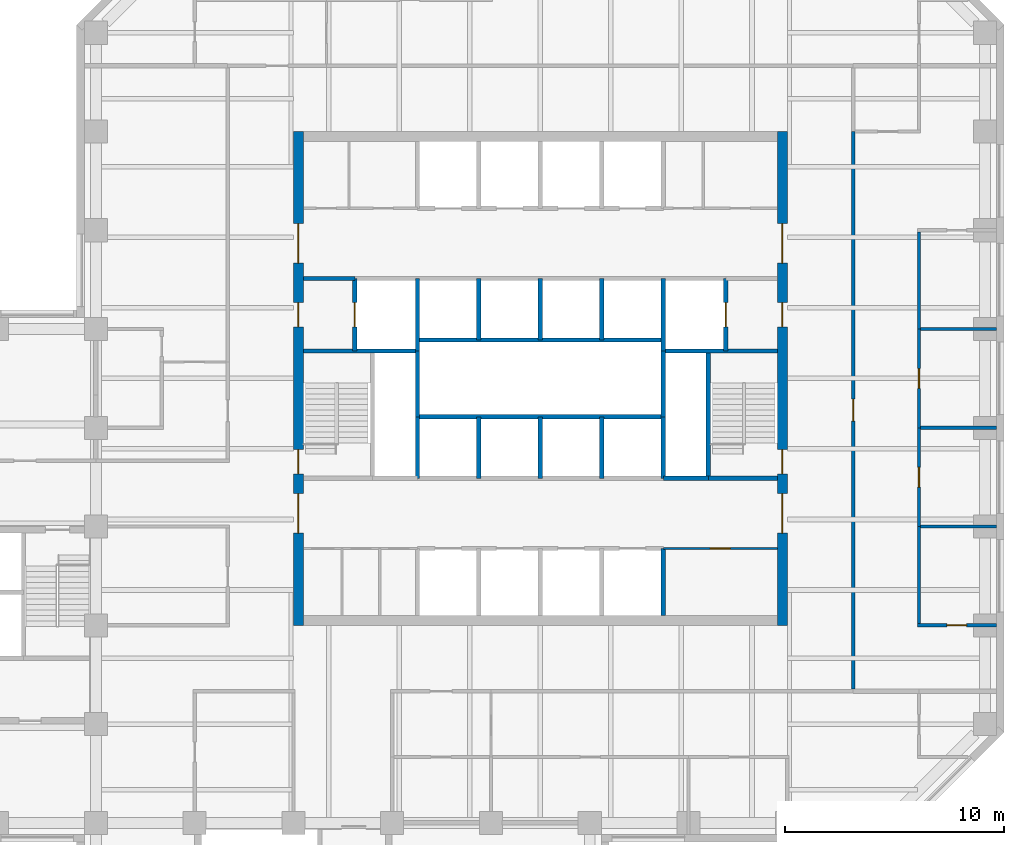
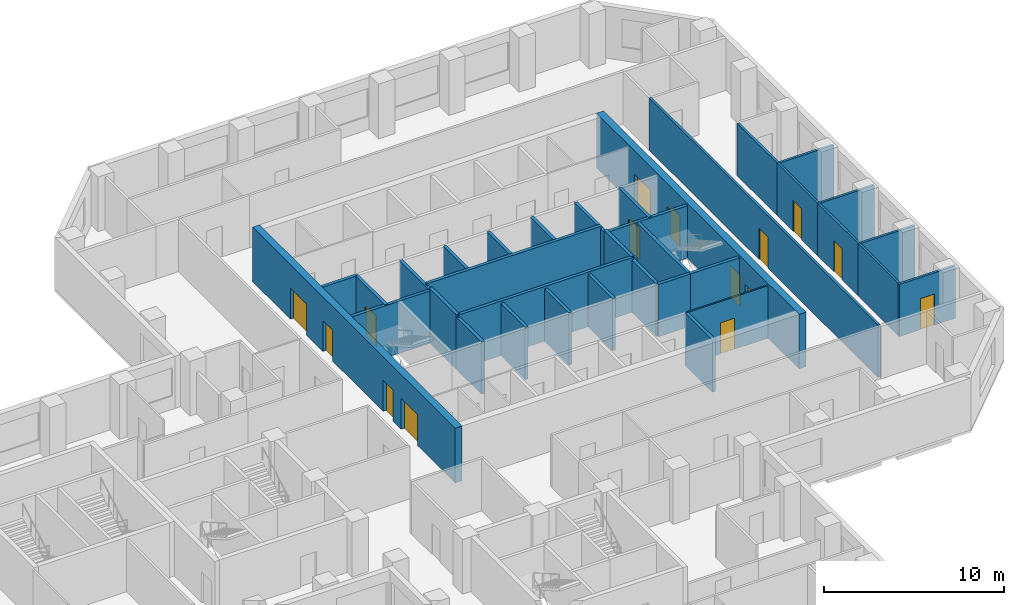
# One storey, part 7 of 11: 35 walls, 15 doors, 15 openings.
"""IFC4 building model written with IfcOpenShell, lengths in metres."""

from ifc_helpers import new_model, si_unit, direction, frame, frame_2d, origin, place, context, subcontext, project, spatial, rectangle, extrude, material, layer, layer_set, type_object, element, fill, save


model = new_model("IFC4")

# Units and contexts
model_context = context("Model", 3, precision=1e-05, world=origin(), true_north=direction((0.0, 1.0)))
body_context = subcontext(model_context, "Body", "Model", "MODEL_VIEW")
ifc_project = project(units=[si_unit("LENGTHUNIT", "METRE"), si_unit("AREAUNIT", "SQUARE_METRE"), si_unit("VOLUMEUNIT", "CUBIC_METRE"), si_unit("PLANEANGLEUNIT", "RADIAN"), si_unit("MASSUNIT", "GRAM", prefix="KILO")], contexts=[model_context])

# Site, building, storey
site_placement = place(None, origin())
site = spatial("IfcSite", under=ifc_project, at=site_placement, CompositionType="ELEMENT")
building_placement = place(site_placement, origin())
building = spatial("IfcBuilding", under=site, at=building_placement, Name="Quoin Convention Tower", CompositionType="ELEMENT")
storey_placement = place(building_placement, frame((0.0, 0.0, 104.800048828125)))
storey = spatial("IfcBuildingStorey", under=building, at=storey_placement, Name="L27", CompositionType="ELEMENT", Elevation=104.800048828125)

# Wall, opening, door
ifc_material_1 = material(Name="Plasterboard")
ifc_layer_1 = layer(ifc_material_1, 0.012451171875, Name="Finish")
ifc_material_2 = material(Name="Steel stud framing", Category="steel")
ifc_layer_2 = layer(ifc_material_2, 0.125, Name="Structure")
ifc_layer_3 = layer(ifc_material_1, 0.012451171875, Name="Finish")
ifc_layer_set_1 = layer_set([ifc_layer_1, ifc_layer_2, ifc_layer_3], Name="Steel stud framing")
wall_type_1 = type_object("IfcWallType", Name="Acoustic partition 150", PredefinedType="PARTITIONING", material=ifc_layer_set_1)
wall_1_placement = place(storey_placement, frame((73.425048828125, 49.5, 0.0), z_axis=(0.0, 0.0, 1.0), x_axis=(1.0, 0.0, 0.0)))
wall_1 = element("IfcWall", 1, at=wall_1_placement, inside=storey, type_object=wall_type_1, Name="pw-L27-025", PredefinedType="PARTITIONING", context=body_context, shape_type="SweptSolid", body=[
    extrude(rectangle(XDim=3.599853515625, YDim=0.14990234375, at=frame_2d((1.7998046875, 0.0))), origin(), (0.0, 0.0, 1.0), 3.550048828125),
])
opening_1_placement = place(wall_1_placement, frame((1.35009765625, 0.0, 0.0)))
opening_1 = element("IfcOpeningElement", 2, at=opening_1_placement, cuts=wall_1, Name="Opening DOL4-10", PredefinedType="OPENING", context=body_context, shape_type="SweptSolid", body=[
    extrude(rectangle(XDim=0.89990234375, YDim=2.10009765625, at=frame_2d((0.449951171875, 1.050048828125))), frame((0.0, 0.0849609375, 0.0), z_axis=(0.0, -1.0, 0.0), x_axis=(1.0, 0.0, 0.0)), (0.0, 0.0, 1.0), 0.169921875),
])
ifc_material_3 = material(Name="Steel door leaf", Category="steel")
door_type_1 = type_object("IfcDoorType", Name="Office door 900 x 2100", OperationType="SINGLE_SWING_RIGHT", PredefinedType="DOOR", material=ifc_material_3)
door_1_placement = place(opening_1_placement, frame((0.89990234375, 0.0, 0.0), z_axis=(0.0, 0.0, 1.0), x_axis=(-1.0, 0.0, 0.0)))
door_1 = element("IfcDoor", 3, at=door_1_placement, inside=storey, type_object=door_type_1, Name="dr-L27-25", OperationType="SINGLE_SWING_LEFT", OverallHeight=2.10009765625, OverallWidth=0.89990234375, PredefinedType="DOOR", context=body_context, shape_type="SweptSolid", body=[
    extrude(rectangle(XDim=0.89990234375, YDim=2.10009765625, at=frame_2d((0.449951171875, 1.050048828125))), frame((0.0, 0.02490234375, 0.0), z_axis=(0.0, -1.0, 0.0), x_axis=(1.0, 0.0, 0.0)), (0.0, 0.0, 1.0), 0.050048828125),
])
fill(opening_1, door_1)

# Walls
for number, where, z_axis, x_axis, name in (
    (4, (73.574951171875, 54.0, 0.0), (0.0, 0.0, 1.0), (1.0, 0.0, 0.0), "pw-L27-028"),
    (5, (73.574951171875, 58.5, 0.0), (0.0, 0.0, 1.0), (1.0, 0.0, 0.0), "pw-L27-032"),
    (6, (73.574951171875, 63.0, 0.0), (0.0, 0.0, 1.0), (1.0, 0.0, 0.0), "pw-L27-038"),
):
    element("IfcWall", number, at=place(storey_placement, frame(where, z_axis=z_axis, x_axis=x_axis)), inside=storey, type_object=wall_type_1, Name=name, PredefinedType="PARTITIONING", context=body_context, shape_type="SweptSolid", body=[
        extrude(rectangle(XDim=3.449951171875, YDim=0.14990234375, at=frame_2d((1.72509765625, 0.0))), origin(), (0.0, 0.0, 1.0), 3.550048828125),
    ])
wall_2_placement = place(storey_placement, frame((73.5, 49.574951171875, 0.0), z_axis=(0.0, 0.0, 1.0), x_axis=(0.0, 1.0, 0.0)))
element("IfcWall", 7, at=wall_2_placement, inside=storey, type_object=wall_type_1, Name="pw-L27-071", PredefinedType="PARTITIONING", context=body_context, shape_type="SweptSolid", body=[
    extrude(rectangle(XDim=4.425048828125, YDim=0.14990234375, at=frame_2d((2.21240234375, 0.0))), origin(), (0.0, 0.0, 1.0), 3.550048828125),
])

# Wall, opening, door
wall_3_placement = place(storey_placement, frame((73.5, 54.0, 0.0), z_axis=(0.0, 0.0, 1.0), x_axis=(0.0, 1.0, 0.0)))
wall_3 = element("IfcWall", 8, at=wall_3_placement, inside=storey, type_object=wall_type_1, Name="pw-L27-072", PredefinedType="PARTITIONING", context=body_context, shape_type="SweptSolid", body=[
    extrude(rectangle(XDim=4.5, YDim=0.14990234375, at=frame_2d((2.25, 0.0))), origin(), (0.0, 0.0, 1.0), 3.550048828125),
])
opening_2_placement = place(wall_3_placement, frame((1.800048828125, 0.0, 0.0)))
opening_2 = element("IfcOpeningElement", 9, at=opening_2_placement, cuts=wall_3, Name="Opening DOL4-24", PredefinedType="OPENING", context=body_context, shape_type="SweptSolid", body=[
    extrude(rectangle(XDim=0.89990234375, YDim=2.10009765625, at=frame_2d((0.449951171875, 1.050048828125))), frame((0.0, 0.0849609375, 0.0), z_axis=(0.0, -1.0, 0.0), x_axis=(1.0, 0.0, 0.0)), (0.0, 0.0, 1.0), 0.169921875),
])
door_2_placement = place(opening_2_placement, origin())
door_2 = element("IfcDoor", 10, at=door_2_placement, inside=storey, type_object=door_type_1, Name="dr-L27-26", OperationType="SINGLE_SWING_RIGHT", OverallHeight=2.10009765625, OverallWidth=0.89990234375, PredefinedType="DOOR", context=body_context, shape_type="SweptSolid", body=[
    extrude(rectangle(XDim=0.89990234375, YDim=2.10009765625, at=frame_2d((0.449951171875, 1.050048828125))), frame((0.0, 0.02490234375, 0.0), z_axis=(0.0, -1.0, 0.0), x_axis=(1.0, 0.0, 0.0)), (0.0, 0.0, 1.0), 0.050048828125),
])
fill(opening_2, door_2)

wall_4_placement = place(storey_placement, frame((73.5, 58.5, 0.0), z_axis=(0.0, 0.0, 1.0), x_axis=(0.0, 1.0, 0.0)))
wall_4 = element("IfcWall", 11, at=wall_4_placement, inside=storey, type_object=wall_type_1, Name="pw-L27-076", PredefinedType="PARTITIONING", context=body_context, shape_type="SweptSolid", body=[
    extrude(rectangle(XDim=4.5, YDim=0.14990234375, at=frame_2d((2.25, 0.0))), origin(), (0.0, 0.0, 1.0), 3.550048828125),
])
opening_3_placement = place(wall_4_placement, frame((1.800048828125, 0.0, 0.0)))
opening_3 = element("IfcOpeningElement", 12, at=opening_3_placement, cuts=wall_4, Name="Opening DOL4-26", PredefinedType="OPENING", context=body_context, shape_type="SweptSolid", body=[
    extrude(rectangle(XDim=0.89990234375, YDim=2.10009765625, at=frame_2d((0.449951171875, 1.050048828125))), frame((0.0, 0.0849609375, 0.0), z_axis=(0.0, -1.0, 0.0), x_axis=(1.0, 0.0, 0.0)), (0.0, 0.0, 1.0), 0.169921875),
])
door_3_placement = place(opening_3_placement, origin())
door_3 = element("IfcDoor", 13, at=door_3_placement, inside=storey, type_object=door_type_1, Name="dr-L27-27", OperationType="SINGLE_SWING_RIGHT", OverallHeight=2.10009765625, OverallWidth=0.89990234375, PredefinedType="DOOR", context=body_context, shape_type="SweptSolid", body=[
    extrude(rectangle(XDim=0.89990234375, YDim=2.10009765625, at=frame_2d((0.449951171875, 1.050048828125))), frame((0.0, 0.02490234375, 0.0), z_axis=(0.0, -1.0, 0.0), x_axis=(1.0, 0.0, 0.0)), (0.0, 0.0, 1.0), 0.050048828125),
])
fill(opening_3, door_3)

# Wall
wall_5_placement = place(storey_placement, frame((73.5, 63.0, 0.0), z_axis=(0.0, 0.0, 1.0), x_axis=(0.0, 1.0, 0.0)))
element("IfcWall", 14, at=wall_5_placement, inside=storey, type_object=wall_type_1, Name="pw-L27-086", PredefinedType="PARTITIONING", context=body_context, shape_type="SweptSolid", body=[
    extrude(rectangle(XDim=4.425048828125, YDim=0.14990234375, at=frame_2d((2.21240234375, 0.0))), origin(), (0.0, 0.0, 1.0), 3.550048828125),
])

# Wall, opening, door
ifc_layer_4 = layer(ifc_material_1, 0.012451171875, Name="Finish")
ifc_layer_5 = layer(ifc_material_2, 0.074951171875, Name="Structure")
ifc_layer_6 = layer(ifc_material_1, 0.012451171875, Name="Finish")
ifc_layer_set_2 = layer_set([ifc_layer_4, ifc_layer_5, ifc_layer_6], Name="Steel stud framing")
wall_type_2 = type_object("IfcWallType", Name="Core partition wall", PredefinedType="PARTITIONING", material=ifc_layer_set_2)
wall_6_placement = place(storey_placement, frame((61.85009765625, 53.0, 0.0), z_axis=(0.0, 0.0, 1.0), x_axis=(1.0, 0.0, 0.0)))
wall_6 = element("IfcWall", 15, at=wall_6_placement, inside=storey, type_object=wall_type_2, Name="cr-C1-L27-h3500_16850", PredefinedType="PARTITIONING", context=body_context, shape_type="SweptSolid", body=[
    extrude(rectangle(XDim=5.199951171875, YDim=0.10009765625, at=frame_2d((2.60009765625, 0.0))), origin(), (0.0, 0.0, 1.0), 3.550048828125),
])
opening_4_placement = place(wall_6_placement, frame((2.14990234375, 0.0, 0.0)))
opening_4 = element("IfcOpeningElement", 16, at=opening_4_placement, cuts=wall_6, Name="Opening DCV3-20", PredefinedType="OPENING", context=body_context, shape_type="SweptSolid", body=[
    extrude(rectangle(XDim=0.89990234375, YDim=2.10009765625, at=frame_2d((0.449951171875, 1.050048828125))), frame((0.0, 0.06005859375, 0.0), z_axis=(0.0, -1.0, 0.0), x_axis=(1.0, 0.0, 0.0)), (0.0, 0.0, 1.0), 0.1201171875),
])
door_type_2 = type_object("IfcDoorType", Name="Core room door 900 x 2100", OperationType="SINGLE_SWING_LEFT", PredefinedType="DOOR", material=ifc_material_3)
door_4_placement = place(opening_4_placement, frame((0.89990234375, 0.0, 0.0), z_axis=(0.0, 0.0, 1.0), x_axis=(-1.0, 0.0, 0.0)))
door_4 = element("IfcDoor", 17, at=door_4_placement, inside=storey, type_object=door_type_2, Name="cd-C1-L27-CSE0-lobA-CD2711", OperationType="SINGLE_SWING_RIGHT", OverallHeight=2.10009765625, OverallWidth=0.89990234375, PredefinedType="DOOR", context=body_context, shape_type="SweptSolid", body=[
    extrude(rectangle(XDim=0.89990234375, YDim=2.10009765625, at=frame_2d((0.449951171875, 1.050048828125))), frame((0.0, 0.02490234375, 0.0), z_axis=(0.0, -1.0, 0.0), x_axis=(1.0, 0.0, 0.0)), (0.0, 0.0, 1.0), 0.050048828125),
])
fill(opening_4, door_4)

# Walls
ifc_material_4 = material(Name="Concrete C50", Category="concrete")
ifc_layer_7 = layer(ifc_material_4, 0.199951171875)
ifc_layer_set_3 = layer_set([ifc_layer_7], Name="Concrete C50")
wall_type_3 = type_object("IfcWallType", Name="Core shaft wall", PredefinedType="SOLIDWALL", material=ifc_layer_set_3)
wall_7_placement = place(storey_placement, frame((61.85009765625, 56.199951171875, 0.0), z_axis=(0.0, 0.0, 1.0), x_axis=(1.0, 0.0, 0.0)))
element("IfcWall", 18, at=wall_7_placement, inside=storey, type_object=wall_type_3, Name="cr-C1-L27-h6700_16850", PredefinedType="SOLIDWALL", context=body_context, shape_type="SweptSolid", body=[
    extrude(rectangle(XDim=2.0498046875, YDim=0.199951171875, at=frame_2d((1.02490234375, 0.0))), origin(), (0.0, 0.0, 1.0), 3.550048828125),
])
wall_8_placement = place(storey_placement, frame((63.89990234375, 56.199951171875, 0.0), z_axis=(0.0, 0.0, 1.0), x_axis=(1.0, 0.0, 0.0)))
element("IfcWall", 19, at=wall_8_placement, inside=storey, type_object=wall_type_3, Name="cr-C1-L27-h6700_18900", PredefinedType="SOLIDWALL", context=body_context, shape_type="SweptSolid", body=[
    extrude(rectangle(XDim=3.150146484375, YDim=0.199951171875, at=frame_2d((1.5751953125, 0.0))), origin(), (0.0, 0.0, 1.0), 3.550048828125),
])
for number, where, z_axis, x_axis, name in (
    (20, (45.449951171875, 62.0, 0.0), (0.0, 0.0, 1.0), (1.0, 0.0, 0.0), "cr-C1-L27-h12500_450"),
    (21, (61.85009765625, 62.0, 0.0), (0.0, 0.0, 1.0), (1.0, 0.0, 0.0), "cr-C1-L27-h12500_16850"),
):
    element("IfcWall", number, at=place(storey_placement, frame(where, z_axis=z_axis, x_axis=x_axis)), inside=storey, type_object=wall_type_3, Name=name, PredefinedType="SOLIDWALL", context=body_context, shape_type="SweptSolid", body=[
        extrude(rectangle(XDim=5.199951171875, YDim=0.199951171875, at=frame_2d((2.60009765625, 0.0))), origin(), (0.0, 0.0, 1.0), 3.550048828125),
    ])
wall_9_placement = place(storey_placement, frame((45.449951171875, 65.300048828125, 0.0), z_axis=(0.0, 0.0, 1.0), x_axis=(1.0, 0.0, 0.0)))
element("IfcWall", 22, at=wall_9_placement, inside=storey, type_object=wall_type_3, Name="cr-C1-L27-h15800_450", PredefinedType="SOLIDWALL", context=body_context, shape_type="SweptSolid", body=[
    extrude(rectangle(XDim=2.35009765625, YDim=0.199951171875, at=frame_2d((1.175048828125, 0.0))), origin(), (0.0, 0.0, 1.0), 3.550048828125),
])

# Wall, opening, door
wall_10_placement = place(storey_placement, frame((47.800048828125, 62.0, 0.0), z_axis=(0.0, 0.0, 1.0), x_axis=(0.0, 1.0, 0.0)))
wall_10 = element("IfcWall", 23, at=wall_10_placement, inside=storey, type_object=wall_type_3, Name="cr-C1-L27-v2800_12500", PredefinedType="SOLIDWALL", context=body_context, shape_type="SweptSolid", body=[
    extrude(rectangle(XDim=3.300048828125, YDim=0.199951171875, at=frame_2d((1.64990234375, 0.0))), origin(), (0.0, 0.0, 1.0), 3.550048828125),
])
opening_5_placement = place(wall_10_placement, frame((1.10009765625, 0.0, 0.0)))
opening_5 = element("IfcOpeningElement", 24, at=opening_5_placement, cuts=wall_10, Name="Opening LDFL1", PredefinedType="OPENING", context=body_context, shape_type="SweptSolid", body=[
    extrude(rectangle(XDim=1.10009765625, YDim=2.10009765625, at=frame_2d((0.550048828125, 1.050048828125))), frame((0.0, 0.10986328125, 0.0), z_axis=(0.0, -1.0, 0.0), x_axis=(1.0, 0.0, 0.0)), (0.0, 0.0, 1.0), 0.219970703125),
])
door_type_3 = type_object("IfcDoorType", Name="Lift landing door 1100 x 2100", OperationType="DOUBLE_DOOR_SLIDING", PredefinedType="DOOR", material=ifc_material_3)
door_5_placement = place(opening_5_placement, origin())
door_5 = element("IfcDoor", 25, at=door_5_placement, inside=storey, type_object=door_type_3, Name="cd-C1-L27-FLW-FFW-LDFL1", OperationType="DOUBLE_DOOR_SLIDING", OverallHeight=2.10009765625, OverallWidth=1.10009765625, PredefinedType="DOOR", context=body_context, shape_type="SweptSolid", body=[
    extrude(rectangle(XDim=1.10009765625, YDim=2.10009765625, at=frame_2d((0.550048828125, 1.050048828125))), frame((0.0, 0.02490234375, 0.0), z_axis=(0.0, -1.0, 0.0), x_axis=(1.0, 0.0, 0.0)), (0.0, 0.0, 1.0), 0.050048828125),
])
fill(opening_5, door_5)

# Walls
wall_11_placement = place(storey_placement, frame((50.64990234375, 56.199951171875, 0.0), z_axis=(0.0, 0.0, 1.0), x_axis=(0.0, 1.0, 0.0)))
element("IfcWall", 26, at=wall_11_placement, inside=storey, type_object=wall_type_3, Name="cr-C1-L27-v5650_6700", PredefinedType="SOLIDWALL", context=body_context, shape_type="SweptSolid", body=[
    extrude(rectangle(XDim=2.800048828125, YDim=0.199951171875, at=frame_2d((1.39990234375, 0.0))), origin(), (0.0, 0.0, 1.0), 3.550048828125),
])
wall_12_placement = place(storey_placement, frame((50.64990234375, 62.0, 0.0), z_axis=(0.0, 0.0, 1.0), x_axis=(0.0, 1.0, 0.0)))
element("IfcWall", 27, at=wall_12_placement, inside=storey, type_object=wall_type_3, Name="cr-C1-L27-v5650_12500", PredefinedType="SOLIDWALL", context=body_context, shape_type="SweptSolid", body=[
    extrude(rectangle(XDim=3.300048828125, YDim=0.199951171875, at=frame_2d((1.64990234375, 0.0))), origin(), (0.0, 0.0, 1.0), 3.550048828125),
])
for number, where, z_axis, x_axis, name in (
    (28, (53.449951171875, 56.199951171875, 0.0), (0.0, 0.0, 1.0), (0.0, 1.0, 0.0), "cr-C1-L27-v8450_6700"),
    (29, (53.449951171875, 62.5, 0.0), (0.0, 0.0, 1.0), (0.0, 1.0, 0.0), "cr-C1-L27-v8450_13000"),
    (30, (56.25, 56.199951171875, 0.0), (0.0, 0.0, 1.0), (0.0, 1.0, 0.0), "cr-C1-L27-v11250_6700"),
    (31, (56.25, 62.5, 0.0), (0.0, 0.0, 1.0), (0.0, 1.0, 0.0), "cr-C1-L27-v11250_13000"),
    (32, (59.050048828125, 56.199951171875, 0.0), (0.0, 0.0, 1.0), (0.0, 1.0, 0.0), "cr-C1-L27-v14050_6700"),
    (33, (59.050048828125, 62.5, 0.0), (0.0, 0.0, 1.0), (0.0, 1.0, 0.0), "cr-C1-L27-v14050_13000"),
):
    element("IfcWall", number, at=place(storey_placement, frame(where, z_axis=z_axis, x_axis=x_axis)), inside=storey, type_object=wall_type_3, Name=name, PredefinedType="SOLIDWALL", context=body_context, shape_type="SweptSolid", body=[
        extrude(rectangle(XDim=2.800048828125, YDim=0.199951171875, at=frame_2d((1.39990234375, 0.0))), origin(), (0.0, 0.0, 1.0), 3.550048828125),
    ])
wall_13_placement = place(storey_placement, frame((61.85009765625, 49.949951171875, 0.0), z_axis=(0.0, 0.0, 1.0), x_axis=(0.0, 1.0, 0.0)))
element("IfcWall", 34, at=wall_13_placement, inside=storey, type_object=wall_type_3, Name="cr-C1-L27-v16850_450", PredefinedType="SOLIDWALL", context=body_context, shape_type="SweptSolid", body=[
    extrude(rectangle(XDim=3.050048828125, YDim=0.199951171875, at=frame_2d((1.52490234375, 0.0))), origin(), (0.0, 0.0, 1.0), 3.550048828125),
])
wall_14_placement = place(storey_placement, frame((61.85009765625, 56.199951171875, 0.0), z_axis=(0.0, 0.0, 1.0), x_axis=(0.0, 1.0, 0.0)))
element("IfcWall", 35, at=wall_14_placement, inside=storey, type_object=wall_type_3, Name="cr-C1-L27-v16850_6700", PredefinedType="SOLIDWALL", context=body_context, shape_type="SweptSolid", body=[
    extrude(rectangle(XDim=2.800048828125, YDim=0.199951171875, at=frame_2d((1.39990234375, 0.0))), origin(), (0.0, 0.0, 1.0), 3.550048828125),
])
wall_15_placement = place(storey_placement, frame((61.85009765625, 62.0, 0.0), z_axis=(0.0, 0.0, 1.0), x_axis=(0.0, 1.0, 0.0)))
element("IfcWall", 36, at=wall_15_placement, inside=storey, type_object=wall_type_3, Name="cr-C1-L27-v16850_12500", PredefinedType="SOLIDWALL", context=body_context, shape_type="SweptSolid", body=[
    extrude(rectangle(XDim=3.300048828125, YDim=0.199951171875, at=frame_2d((1.64990234375, 0.0))), origin(), (0.0, 0.0, 1.0), 3.550048828125),
])
wall_16_placement = place(storey_placement, frame((63.89990234375, 56.199951171875, 0.0), z_axis=(0.0, 0.0, 1.0), x_axis=(0.0, 1.0, 0.0)))
element("IfcWall", 37, at=wall_16_placement, inside=storey, type_object=wall_type_3, Name="cr-C1-L27-v18900_6700", PredefinedType="SOLIDWALL", context=body_context, shape_type="SweptSolid", body=[
    extrude(rectangle(XDim=5.800048828125, YDim=0.199951171875, at=frame_2d((2.89990234375, 0.0))), origin(), (0.0, 0.0, 1.0), 3.550048828125),
])

# Wall, opening, door
wall_17_placement = place(storey_placement, frame((64.699951171875, 62.0, 0.0), z_axis=(0.0, 0.0, 1.0), x_axis=(0.0, 1.0, 0.0)))
wall_17 = element("IfcWall", 38, at=wall_17_placement, inside=storey, type_object=wall_type_3, Name="cr-C1-L27-v19700_12500", PredefinedType="SOLIDWALL", context=body_context, shape_type="SweptSolid", body=[
    extrude(rectangle(XDim=3.300048828125, YDim=0.199951171875, at=frame_2d((1.64990234375, 0.0))), origin(), (0.0, 0.0, 1.0), 3.550048828125),
])
opening_6_placement = place(wall_17_placement, frame((1.10009765625, 0.0, 0.0)))
opening_6 = element("IfcOpeningElement", 39, at=opening_6_placement, cuts=wall_17, Name="Opening LDFL2", PredefinedType="OPENING", context=body_context, shape_type="SweptSolid", body=[
    extrude(rectangle(XDim=1.10009765625, YDim=2.10009765625, at=frame_2d((0.550048828125, 1.050048828125))), frame((0.0, 0.10986328125, 0.0), z_axis=(0.0, -1.0, 0.0), x_axis=(1.0, 0.0, 0.0)), (0.0, 0.0, 1.0), 0.219970703125),
])
door_6_placement = place(opening_6_placement, origin())
door_6 = element("IfcDoor", 40, at=door_6_placement, inside=storey, type_object=door_type_3, Name="cd-C1-L27-FLE-FFE-LDFL2", OperationType="DOUBLE_DOOR_SLIDING", OverallHeight=2.10009765625, OverallWidth=1.10009765625, PredefinedType="DOOR", context=body_context, shape_type="SweptSolid", body=[
    extrude(rectangle(XDim=1.10009765625, YDim=2.10009765625, at=frame_2d((0.550048828125, 1.050048828125))), frame((0.0, 0.02490234375, 0.0), z_axis=(0.0, -1.0, 0.0), x_axis=(1.0, 0.0, 0.0)), (0.0, 0.0, 1.0), 0.050048828125),
])
fill(opening_6, door_6)

# Walls
ifc_layer_8 = layer(ifc_material_4, 0.199951171875)
ifc_layer_set_4 = layer_set([ifc_layer_8], Name="Concrete C50")
wall_type_4 = type_object("IfcWallType", Name="Core shaft wall to the floor level over", PredefinedType="SOLIDWALL", material=ifc_layer_set_4)
for number, where, z_axis, x_axis, name in (
    (41, (50.64990234375, 59.0, 0.0), (0.0, 0.0, 1.0), (1.0, 0.0, 0.0), "cr-C1-L27-h9500_5650"),
    (42, (50.64990234375, 62.5, 0.0), (0.0, 0.0, 1.0), (1.0, 0.0, 0.0), "cr-C1-L27-h13000_5650"),
):
    element("IfcWall", number, at=place(storey_placement, frame(where, z_axis=z_axis, x_axis=x_axis)), inside=storey, type_object=wall_type_4, Name=name, PredefinedType="SOLIDWALL", context=body_context, shape_type="SweptSolid", body=[
        extrude(rectangle(XDim=11.2001953125, YDim=0.199951171875, at=frame_2d((5.60009765625, 0.0))), origin(), (0.0, 0.0, 1.0), 3.699951171875),
    ])
for number, where, z_axis, x_axis, name in (
    (43, (50.64990234375, 59.0, 0.0), (0.0, 0.0, 1.0), (0.0, 1.0, 0.0), "cr-C1-L27-v5650_9500"),
    (44, (61.85009765625, 59.0, 0.0), (0.0, 0.0, 1.0), (0.0, 1.0, 0.0), "cr-C1-L27-v16850_9500"),
):
    element("IfcWall", number, at=place(storey_placement, frame(where, z_axis=z_axis, x_axis=x_axis)), inside=storey, type_object=wall_type_4, Name=name, PredefinedType="SOLIDWALL", context=body_context, shape_type="SweptSolid", body=[
        extrude(rectangle(XDim=3.0, YDim=0.199951171875, at=frame_2d((1.5, 0.0))), origin(), (0.0, 0.0, 1.0), 3.699951171875),
    ])

# Wall, opening, door
ifc_layer_9 = layer(ifc_material_1, 0.012451171875, Name="Finish")
ifc_layer_10 = layer(ifc_material_2, 0.125, Name="Structure")
ifc_layer_11 = layer(ifc_material_1, 0.012451171875, Name="Finish")
ifc_layer_set_5 = layer_set([ifc_layer_9, ifc_layer_10, ifc_layer_11], Name="Steel stud framing")
wall_type_5 = type_object("IfcWallType", Name="Corridor wall 150", PredefinedType="PARTITIONING", material=ifc_layer_set_5)
wall_18_placement = place(storey_placement, frame((70.5, 46.60009765625, 0.0), z_axis=(0.0, 0.0, 1.0), x_axis=(0.0, 1.0, 0.0)))
wall_18 = element("IfcWall", 45, at=wall_18_placement, inside=storey, type_object=wall_type_5, Name="pw-L27-067", PredefinedType="PARTITIONING", context=body_context, shape_type="SweptSolid", body=[
    extrude(rectangle(XDim=25.39990234375, YDim=0.14990234375, at=frame_2d((12.699951171875, 0.0))), origin(), (0.0, 0.0, 1.0), 3.550048828125),
])
opening_7_placement = place(wall_18_placement, frame((12.199951171875, 0.0, 0.0)))
opening_7 = element("IfcOpeningElement", 46, at=opening_7_placement, cuts=wall_18, Name="Opening DOL4-22", PredefinedType="OPENING", context=body_context, shape_type="SweptSolid", body=[
    extrude(rectangle(XDim=1.0, YDim=2.10009765625, at=frame_2d((0.5, 1.050048828125))), frame((0.0, 0.0849609375, 0.0), z_axis=(0.0, -1.0, 0.0), x_axis=(1.0, 0.0, 0.0)), (0.0, 0.0, 1.0), 0.169921875),
])
door_type_4 = type_object("IfcDoorType", Name="Tenancy entrance door 1000 x 2100", OperationType="DOUBLE_DOOR_SINGLE_SWING", PredefinedType="DOOR", material=ifc_material_3)
door_7_placement = place(opening_7_placement, origin())
door_7 = element("IfcDoor", 47, at=door_7_placement, inside=storey, type_object=door_type_4, Name="dr-L27-23", OperationType="DOUBLE_DOOR_SINGLE_SWING", OverallHeight=2.10009765625, OverallWidth=1.0, PredefinedType="DOOR", context=body_context, shape_type="SweptSolid", body=[
    extrude(rectangle(XDim=1.0, YDim=2.10009765625, at=frame_2d((0.5, 1.050048828125))), frame((0.0, 0.02490234375, 0.0), z_axis=(0.0, -1.0, 0.0), x_axis=(1.0, 0.0, 0.0)), (0.0, 0.0, 1.0), 0.050048828125),
])
fill(opening_7, door_7)

# Wall, openings, doors
ifc_material_5 = material(Name="Concrete C65", Category="concrete")
ifc_layer_12 = layer(ifc_material_5, 0.449951171875)
ifc_layer_set_6 = layer_set([ifc_layer_12], Name="Concrete C65")
wall_type_6 = type_object("IfcWallType", Name="RC CORE WALL 450 C65", PredefinedType="SHEAR", material=ifc_layer_set_6)
wall_19_placement = place(storey_placement, frame((45.22509765625, 49.5, 0.0), z_axis=(0.0, 0.0, 1.0), x_axis=(0.0, 1.0, 0.0)))
wall_19 = element("IfcWall", 48, at=wall_19_placement, inside=storey, type_object=wall_type_6, Name="cwl-C1-L27-W", PredefinedType="SHEAR", context=body_context, shape_type="SweptSolid", body=[
    extrude(rectangle(XDim=22.5, YDim=0.449951171875, at=frame_2d((11.25, 0.0))), origin(), (0.0, 0.0, 1.0), 3.699951171875),
])
opening_8_placement = place(wall_19_placement, frame((4.199951171875, 0.0, 0.0)))
opening_8 = element("IfcOpeningElement", 49, at=opening_8_placement, cuts=wall_19, Name="Opening DCV3-40", PredefinedType="OPENING", context=body_context, shape_type="SweptSolid", body=[
    extrude(rectangle(XDim=1.800048828125, YDim=2.10009765625, at=frame_2d((0.89990234375, 1.050048828125))), frame((0.0, 0.23486328125, 0.0), z_axis=(0.0, -1.0, 0.0), x_axis=(1.0, 0.0, 0.0)), (0.0, 0.0, 1.0), 0.469970703125),
])
opening_9_placement = place(wall_19_placement, frame((6.89990234375, 0.0, 0.0)))
opening_9 = element("IfcOpeningElement", 50, at=opening_9_placement, cuts=wall_19, Name="Opening SD1", PredefinedType="OPENING", context=body_context, shape_type="SweptSolid", body=[
    extrude(rectangle(XDim=1.10009765625, YDim=2.10009765625, at=frame_2d((0.550048828125, 1.050048828125))), frame((0.0, 0.23486328125, 0.0), z_axis=(0.0, -1.0, 0.0), x_axis=(1.0, 0.0, 0.0)), (0.0, 0.0, 1.0), 0.469970703125),
])
opening_10_placement = place(wall_19_placement, frame((13.60009765625, 0.0, 0.0)))
opening_10 = element("IfcOpeningElement", 51, at=opening_10_placement, cuts=wall_19, Name="Opening DCV3-39", PredefinedType="OPENING", context=body_context, shape_type="SweptSolid", body=[
    extrude(rectangle(XDim=1.10009765625, YDim=2.10009765625, at=frame_2d((0.550048828125, 1.050048828125))), frame((0.0, 0.23486328125, 0.0), z_axis=(0.0, -1.0, 0.0), x_axis=(1.0, 0.0, 0.0)), (0.0, 0.0, 1.0), 0.469970703125),
])
opening_11_placement = place(wall_19_placement, frame((16.5, 0.0, 0.0)))
opening_11 = element("IfcOpeningElement", 52, at=opening_11_placement, cuts=wall_19, Name="Opening DCV3-40", PredefinedType="OPENING", context=body_context, shape_type="SweptSolid", body=[
    extrude(rectangle(XDim=1.800048828125, YDim=2.10009765625, at=frame_2d((0.89990234375, 1.050048828125))), frame((0.0, 0.23486328125, 0.0), z_axis=(0.0, -1.0, 0.0), x_axis=(1.0, 0.0, 0.0)), (0.0, 0.0, 1.0), 0.469970703125),
])
door_type_5 = type_object("IfcDoorType", Name="Fire-fighting lobby door 1100 x 2100", OperationType="SINGLE_SWING_LEFT", PredefinedType="DOOR", material=ifc_material_3)
door_8_placement = place(opening_10_placement, frame((1.10009765625, 0.0, 0.0), z_axis=(0.0, 0.0, 1.0), x_axis=(-1.0, 0.0, 0.0)))
door_8 = element("IfcDoor", 53, at=door_8_placement, inside=storey, type_object=door_type_5, Name="cd-C1-L27-FFW-W", OperationType="SINGLE_SWING_LEFT", OverallHeight=2.10009765625, OverallWidth=1.10009765625, PredefinedType="DOOR", context=body_context, shape_type="SweptSolid", body=[
    extrude(rectangle(XDim=1.10009765625, YDim=2.10009765625, at=frame_2d((0.550048828125, 1.050048828125))), frame((0.0, 0.02490234375, 0.0), z_axis=(0.0, -1.0, 0.0), x_axis=(1.0, 0.0, 0.0)), (0.0, 0.0, 1.0), 0.050048828125),
])
fill(opening_10, door_8)
door_type_6 = type_object("IfcDoorType", Name="Lift lobby door 1800 x 2100", OperationType="SINGLE_SWING_LEFT", PredefinedType="DOOR", material=ifc_material_3)
door_9_placement = place(opening_8_placement, frame((1.800048828125, 0.0, 0.0), z_axis=(0.0, 0.0, 1.0), x_axis=(-1.0, 0.0, 0.0)))
door_9 = element("IfcDoor", 54, at=door_9_placement, inside=storey, type_object=door_type_6, Name="cd-C1-L27-lobA-W", OperationType="SINGLE_SWING_LEFT", OverallHeight=2.10009765625, OverallWidth=1.800048828125, PredefinedType="DOOR", context=body_context, shape_type="SweptSolid", body=[
    extrude(rectangle(XDim=1.800048828125, YDim=2.10009765625, at=frame_2d((0.89990234375, 1.050048828125))), frame((0.0, 0.02490234375, 0.0), z_axis=(0.0, -1.0, 0.0), x_axis=(1.0, 0.0, 0.0)), (0.0, 0.0, 1.0), 0.050048828125),
])
fill(opening_8, door_9)
door_10_placement = place(opening_11_placement, frame((1.800048828125, 0.0, 0.0), z_axis=(0.0, 0.0, 1.0), x_axis=(-1.0, 0.0, 0.0)))
door_10 = element("IfcDoor", 55, at=door_10_placement, inside=storey, type_object=door_type_6, Name="cd-C1-L27-lobB-W", OperationType="SINGLE_SWING_LEFT", OverallHeight=2.10009765625, OverallWidth=1.800048828125, PredefinedType="DOOR", context=body_context, shape_type="SweptSolid", body=[
    extrude(rectangle(XDim=1.800048828125, YDim=2.10009765625, at=frame_2d((0.89990234375, 1.050048828125))), frame((0.0, 0.02490234375, 0.0), z_axis=(0.0, -1.0, 0.0), x_axis=(1.0, 0.0, 0.0)), (0.0, 0.0, 1.0), 0.050048828125),
])
fill(opening_11, door_10)
door_type_7 = type_object("IfcDoorType", Name="Stair door 1100 x 2100", OperationType="SINGLE_SWING_RIGHT", PredefinedType="DOOR", material=ifc_material_3)
door_11_placement = place(opening_9_placement, frame((1.10009765625, 0.0, 0.0), z_axis=(0.0, 0.0, 1.0), x_axis=(-1.0, 0.0, 0.0)))
door_11 = element("IfcDoor", 56, at=door_11_placement, inside=storey, type_object=door_type_7, Name="cd-C1-L27-STW-W", OperationType="SINGLE_SWING_RIGHT", OverallHeight=2.10009765625, OverallWidth=1.10009765625, PredefinedType="DOOR", context=body_context, shape_type="SweptSolid", body=[
    extrude(rectangle(XDim=1.10009765625, YDim=2.10009765625, at=frame_2d((0.550048828125, 1.050048828125))), frame((0.0, 0.02490234375, 0.0), z_axis=(0.0, -1.0, 0.0), x_axis=(1.0, 0.0, 0.0)), (0.0, 0.0, 1.0), 0.050048828125),
])
fill(opening_9, door_11)

wall_20_placement = place(storey_placement, frame((67.27490234375, 49.5, 0.0), z_axis=(0.0, 0.0, 1.0), x_axis=(0.0, 1.0, 0.0)))
wall_20 = element("IfcWall", 57, at=wall_20_placement, inside=storey, type_object=wall_type_6, Name="cwl-C1-L27-E", PredefinedType="SHEAR", context=body_context, shape_type="SweptSolid", body=[
    extrude(rectangle(XDim=22.5, YDim=0.449951171875, at=frame_2d((11.25, 0.0))), origin(), (0.0, 0.0, 1.0), 3.699951171875),
])
opening_12_placement = place(wall_20_placement, frame((4.199951171875, 0.0, 0.0)))
opening_12 = element("IfcOpeningElement", 58, at=opening_12_placement, cuts=wall_20, Name="Opening DCV3-38", PredefinedType="OPENING", context=body_context, shape_type="SweptSolid", body=[
    extrude(rectangle(XDim=1.800048828125, YDim=2.10009765625, at=frame_2d((0.89990234375, 1.050048828125))), frame((0.0, 0.23486328125, 0.0), z_axis=(0.0, -1.0, 0.0), x_axis=(1.0, 0.0, 0.0)), (0.0, 0.0, 1.0), 0.469970703125),
])
opening_13_placement = place(wall_20_placement, frame((6.89990234375, 0.0, 0.0)))
opening_13 = element("IfcOpeningElement", 59, at=opening_13_placement, cuts=wall_20, Name="Opening SD2", PredefinedType="OPENING", context=body_context, shape_type="SweptSolid", body=[
    extrude(rectangle(XDim=1.10009765625, YDim=2.10009765625, at=frame_2d((0.550048828125, 1.050048828125))), frame((0.0, 0.23486328125, 0.0), z_axis=(0.0, -1.0, 0.0), x_axis=(1.0, 0.0, 0.0)), (0.0, 0.0, 1.0), 0.469970703125),
])
opening_14_placement = place(wall_20_placement, frame((13.60009765625, 0.0, 0.0)))
opening_14 = element("IfcOpeningElement", 60, at=opening_14_placement, cuts=wall_20, Name="Opening DCV3-37", PredefinedType="OPENING", context=body_context, shape_type="SweptSolid", body=[
    extrude(rectangle(XDim=1.10009765625, YDim=2.10009765625, at=frame_2d((0.550048828125, 1.050048828125))), frame((0.0, 0.23486328125, 0.0), z_axis=(0.0, -1.0, 0.0), x_axis=(1.0, 0.0, 0.0)), (0.0, 0.0, 1.0), 0.469970703125),
])
opening_15_placement = place(wall_20_placement, frame((16.5, 0.0, 0.0)))
opening_15 = element("IfcOpeningElement", 61, at=opening_15_placement, cuts=wall_20, Name="Opening DCV3-38", PredefinedType="OPENING", context=body_context, shape_type="SweptSolid", body=[
    extrude(rectangle(XDim=1.800048828125, YDim=2.10009765625, at=frame_2d((0.89990234375, 1.050048828125))), frame((0.0, 0.23486328125, 0.0), z_axis=(0.0, -1.0, 0.0), x_axis=(1.0, 0.0, 0.0)), (0.0, 0.0, 1.0), 0.469970703125),
])
door_12_placement = place(opening_14_placement, origin())
door_12 = element("IfcDoor", 62, at=door_12_placement, inside=storey, type_object=door_type_5, Name="cd-C1-L27-FFE-E", OperationType="SINGLE_SWING_RIGHT", OverallHeight=2.10009765625, OverallWidth=1.10009765625, PredefinedType="DOOR", context=body_context, shape_type="SweptSolid", body=[
    extrude(rectangle(XDim=1.10009765625, YDim=2.10009765625, at=frame_2d((0.550048828125, 1.050048828125))), frame((0.0, 0.02490234375, 0.0), z_axis=(0.0, -1.0, 0.0), x_axis=(1.0, 0.0, 0.0)), (0.0, 0.0, 1.0), 0.050048828125),
])
fill(opening_14, door_12)
door_13_placement = place(opening_12_placement, origin())
door_13 = element("IfcDoor", 63, at=door_13_placement, inside=storey, type_object=door_type_6, Name="cd-C1-L27-lobA-E", OperationType="SINGLE_SWING_RIGHT", OverallHeight=2.10009765625, OverallWidth=1.800048828125, PredefinedType="DOOR", context=body_context, shape_type="SweptSolid", body=[
    extrude(rectangle(XDim=1.800048828125, YDim=2.10009765625, at=frame_2d((0.89990234375, 1.050048828125))), frame((0.0, 0.02490234375, 0.0), z_axis=(0.0, -1.0, 0.0), x_axis=(1.0, 0.0, 0.0)), (0.0, 0.0, 1.0), 0.050048828125),
])
fill(opening_12, door_13)
door_14_placement = place(opening_15_placement, origin())
door_14 = element("IfcDoor", 64, at=door_14_placement, inside=storey, type_object=door_type_6, Name="cd-C1-L27-lobB-E", OperationType="SINGLE_SWING_RIGHT", OverallHeight=2.10009765625, OverallWidth=1.800048828125, PredefinedType="DOOR", context=body_context, shape_type="SweptSolid", body=[
    extrude(rectangle(XDim=1.800048828125, YDim=2.10009765625, at=frame_2d((0.89990234375, 1.050048828125))), frame((0.0, 0.02490234375, 0.0), z_axis=(0.0, -1.0, 0.0), x_axis=(1.0, 0.0, 0.0)), (0.0, 0.0, 1.0), 0.050048828125),
])
fill(opening_15, door_14)
door_15_placement = place(opening_13_placement, origin())
door_15 = element("IfcDoor", 65, at=door_15_placement, inside=storey, type_object=door_type_7, Name="cd-C1-L27-STE-E", OperationType="SINGLE_SWING_LEFT", OverallHeight=2.10009765625, OverallWidth=1.10009765625, PredefinedType="DOOR", context=body_context, shape_type="SweptSolid", body=[
    extrude(rectangle(XDim=1.10009765625, YDim=2.10009765625, at=frame_2d((0.550048828125, 1.050048828125))), frame((0.0, 0.02490234375, 0.0), z_axis=(0.0, -1.0, 0.0), x_axis=(1.0, 0.0, 0.0)), (0.0, 0.0, 1.0), 0.050048828125),
])
fill(opening_13, door_15)

save(model, "model.ifc")
